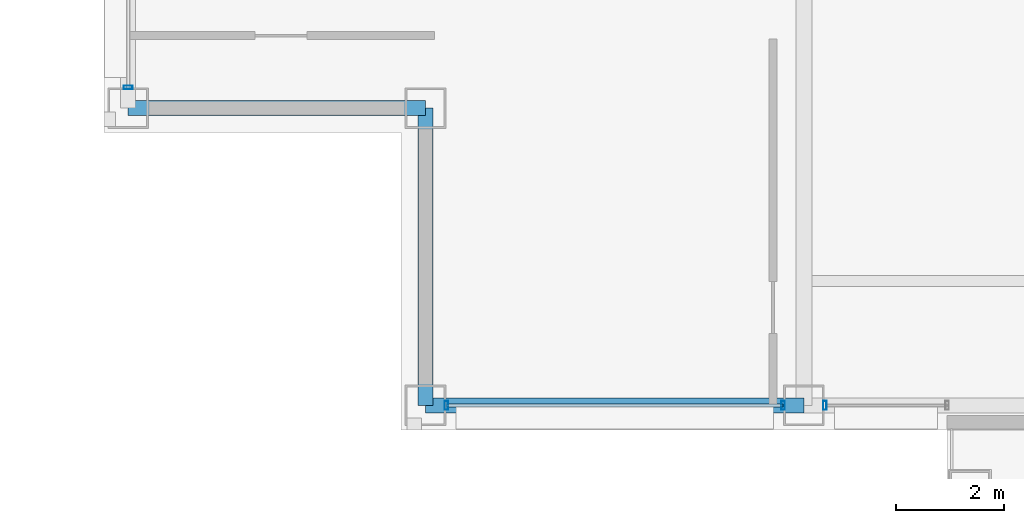
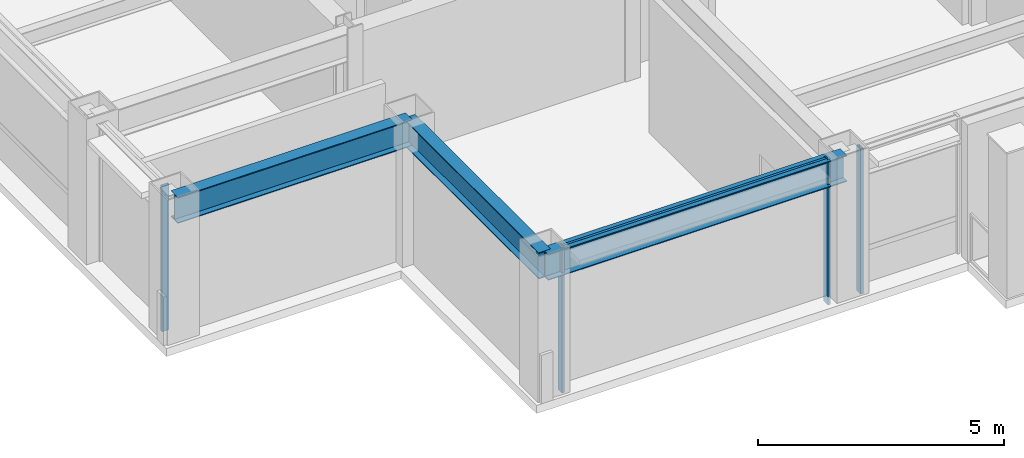
# One storey, part 2 of 27: 5 members, 3 beams, 3 elements without a shape of their own.
"""IFC4 building model written with IfcOpenShell, lengths in metres."""

from ifc_helpers import new_model, si_unit, direction, frame, origin, origin_2d, place, context, subcontext, project, spatial, hollow_rectangle, i_section, extrude, material, layer, layer_set, material_profile, profile_set, type_object, element, aggregate, save


model = new_model("IFC4")

# Units and contexts
model_context = context("Model", 3, precision=1e-05, world=origin(), true_north=direction((0.0, 1.0)))
body_context = subcontext(model_context, "Body", "Model", "MODEL_VIEW")
ifc_project = project(units=[si_unit("LENGTHUNIT", "METRE"), si_unit("AREAUNIT", "SQUARE_METRE"), si_unit("VOLUMEUNIT", "CUBIC_METRE"), si_unit("PLANEANGLEUNIT", "RADIAN"), si_unit("MASSUNIT", "GRAM", prefix="KILO")], contexts=[model_context])

# Site, building, storey
site_placement = place(None, origin())
site = spatial("IfcSite", under=ifc_project, at=site_placement, CompositionType="ELEMENT")
building_placement = place(site_placement, origin())
building = spatial("IfcBuilding", under=site, at=building_placement, Name="Brelmoor Portico Tower", CompositionType="ELEMENT")
storey_placement = place(building_placement, frame((0.0, 0.0, 158.699951171875)))
storey = spatial("IfcBuildingStorey", under=building, at=storey_placement, Name="L41", CompositionType="ELEMENT", Elevation=158.699951171875)

# Beams
ifc_material_1 = material(Name="Steel Q355B", Category="steel")
ifc_material_profile_1 = material_profile(ifc_material_1, i_section(OverallWidth=0.280029296875, OverallDepth=0.64990234375, WebThickness=0.012939453125, FlangeThickness=0.02197265625, at=origin_2d()), Name="HN 650x280x13x22")
ifc_profile_set_1 = profile_set([ifc_material_profile_1], Name="Steel Q355B")
beam_type = type_object("IfcBeamType", Name="BM-SP-650", PredefinedType="SPANDREL", material=ifc_profile_set_1)
beam_placement = place(storey_placement, frame((-15.050048828125, -18.550048828125, 3.074951171875), z_axis=(1.0, 0.0, 0.0), x_axis=(0.0, 1.0, 0.0)))
element("IfcBeam", 1, at=beam_placement, inside=storey, type_object=beam_type, Name="L41 Perimeter Spandrel Beam SP-01", PredefinedType="SPANDREL", context=body_context, shape_type="SweptSolid", body=[
    extrude(i_section(OverallWidth=0.280029296875, OverallDepth=0.64990234375, WebThickness=0.012939453125, FlangeThickness=0.02197265625, at=origin_2d()), origin(), (0.0, 0.0, 1.0), 7.0),
])
for number, where, z_axis, x_axis, name in (
    (2, (-20.550048828125, -13.050048828125, 3.074951171875), (1.0, 0.0, 0.0), (0.0, 1.0, 0.0), "L41 Perimeter Spandrel Beam SP-04"),
    (3, (-15.050048828125, -18.550048828125, 3.074951171875), (0.0, 1.0, 0.0), (-1.0, 0.0, 0.0), "L41 Perimeter Spandrel Beam SP-14"),
):
    element("IfcBeam", number, at=place(storey_placement, frame(where, z_axis=z_axis, x_axis=x_axis)), inside=storey, type_object=beam_type, Name=name, PredefinedType="SPANDREL", context=body_context, shape_type="SweptSolid", body=[
        extrude(i_section(OverallWidth=0.280029296875, OverallDepth=0.64990234375, WebThickness=0.012939453125, FlangeThickness=0.02197265625, at=origin_2d()), origin(), (0.0, 0.0, 1.0), 5.5),
    ])

# Curtain wall, members
ifc_material_2 = material(Name="Anodised Aluminium Alloy 6063-T6", Category="aluminium")
ifc_layer_1 = layer(ifc_material_2, 0.179931640625)
ifc_layer_set_1 = layer_set([ifc_layer_1], Name="Anodised Aluminium Alloy 6063-T6")
curtain_wall_type_1 = type_object("IfcCurtainWallType", Name="CW-TOWER-Z3-XB", PredefinedType="NOTDEFINED", material=ifc_layer_set_1)
curtain_wall_1_placement = place(storey_placement, origin())
curtain_wall_1 = element("IfcCurtainWall", 4, at=curtain_wall_1_placement, inside=storey, type_object=curtain_wall_type_1, Name="L41 Curtain Wall CW-L41-1L-1", PredefinedType="NOTDEFINED")
ifc_material_profile_2 = material_profile(ifc_material_2, hollow_rectangle(XDim=0.06494140625, YDim=0.1650390625, WallThickness=0.00390625, at=origin_2d()), Name="ALU MULLION 65x165")
ifc_profile_set_2 = profile_set([ifc_material_profile_2], Name="Anodised Aluminium Alloy 6063-T6")
member_type_1 = type_object("IfcMemberType", Name="MB-CW-MULL-165", PredefinedType="MULLION", material=ifc_profile_set_2)
member_1_placement = place(storey_placement, frame((-14.6650390625, -18.550048828125, -0.199951171875), z_axis=(0.0, 0.0, 1.0), x_axis=(1.0, 0.0, 0.0)))
member_1 = element("IfcMember", 5, at=member_1_placement, type_object=member_type_1, Name="CW-L41-1L-1 Mullion 00", PredefinedType="MULLION", context=body_context, shape_type="SweptSolid", body=[
    extrude(hollow_rectangle(XDim=0.06494140625, YDim=0.1650390625, WallThickness=0.00390625, at=origin_2d()), origin(), (0.0, 0.0, 1.0), 3.60009765625),
])
member_2_placement = place(storey_placement, frame((-8.43505859375, -18.550048828125, -0.199951171875), z_axis=(0.0, 0.0, 1.0), x_axis=(1.0, 0.0, 0.0)))
member_2 = element("IfcMember", 6, at=member_2_placement, type_object=member_type_1, Name="CW-L41-1L-1 Mullion 01", PredefinedType="MULLION", context=body_context, shape_type="SweptSolid", body=[
    extrude(hollow_rectangle(XDim=0.06494140625, YDim=0.1650390625, WallThickness=0.00390625, at=origin_2d()), origin(), (0.0, 0.0, 1.0), 3.60009765625),
])

# Curtain wall, member
ifc_layer_2 = layer(ifc_material_2, 0.179931640625)
ifc_layer_set_2 = layer_set([ifc_layer_2], Name="Anodised Aluminium Alloy 6063-T6")
curtain_wall_type_2 = type_object("IfcCurtainWallType", Name="CW-TOWER-Z3", PredefinedType="NOTDEFINED", material=ifc_layer_set_2)
curtain_wall_2_placement = place(storey_placement, origin())
curtain_wall_2 = element("IfcCurtainWall", 7, at=curtain_wall_2_placement, inside=storey, type_object=curtain_wall_type_2, Name="L41 Curtain Wall CW-L41-1L-2", PredefinedType="NOTDEFINED")
member_3_placement = place(storey_placement, frame((-7.6650390625, -18.550048828125, -0.199951171875), z_axis=(0.0, 0.0, 1.0), x_axis=(1.0, 0.0, 0.0)))
member_3 = element("IfcMember", 8, at=member_3_placement, type_object=member_type_1, Name="CW-L41-1L-2 Mullion 00", PredefinedType="MULLION", context=body_context, shape_type="SweptSolid", body=[
    extrude(hollow_rectangle(XDim=0.06494140625, YDim=0.1650390625, WallThickness=0.00390625, at=origin_2d()), origin(), (0.0, 0.0, 1.0), 3.60009765625),
])
aggregate(curtain_wall_2, [member_3])

curtain_wall_3_placement = place(storey_placement, origin())
curtain_wall_3 = element("IfcCurtainWall", 9, at=curtain_wall_3_placement, inside=storey, type_object=curtain_wall_type_1, Name="L41 Curtain Wall CW-L41-3L-1", PredefinedType="NOTDEFINED")
member_4_placement = place(storey_placement, frame((-20.550048828125, -12.6650390625, -0.199951171875), z_axis=(0.0, 0.0, 1.0), x_axis=(0.0, 1.0, 0.0)))
member_4 = element("IfcMember", 10, at=member_4_placement, type_object=member_type_1, Name="CW-L41-3L-1 Mullion 00", PredefinedType="MULLION", context=body_context, shape_type="SweptSolid", body=[
    extrude(hollow_rectangle(XDim=0.06494140625, YDim=0.1650390625, WallThickness=0.00390625, at=origin_2d()), origin(), (0.0, 0.0, 1.0), 3.60009765625),
])
aggregate(curtain_wall_3, [member_4])

# Member
ifc_material_profile_3 = material_profile(ifc_material_2, hollow_rectangle(XDim=0.06005859375, YDim=0.125, WallThickness=0.00341796875, at=origin_2d()), Name="ALU TRANSOM 60x125")
ifc_profile_set_3 = profile_set([ifc_material_profile_3], Name="Anodised Aluminium Alloy 6063-T6")
member_type_2 = type_object("IfcMemberType", Name="MB-CW-TRAN-125", PredefinedType="USERDEFINED", material=ifc_profile_set_3)
member_5_placement = place(storey_placement, frame((-14.6650390625, -18.550048828125, 3.337646484375), z_axis=(1.0, 0.0, 0.0), x_axis=(0.0, 1.0, 0.0)))
member_5 = element("IfcMember", 11, at=member_5_placement, type_object=member_type_2, Name="CW-L41-1L-1 Transom 1-00", ObjectType="TRANSOM", PredefinedType="USERDEFINED", context=body_context, shape_type="SweptSolid", body=[
    extrude(hollow_rectangle(XDim=0.06005859375, YDim=0.125, WallThickness=0.00341796875, at=origin_2d()), origin(), (0.0, 0.0, 1.0), 6.22998046875),
])

aggregate(curtain_wall_1, [member_1, member_2, member_5])

save(model, "model.ifc")
